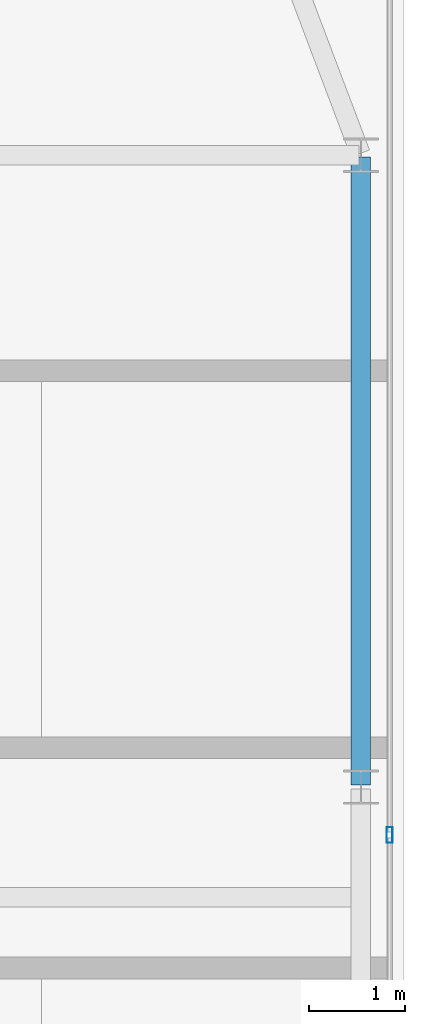
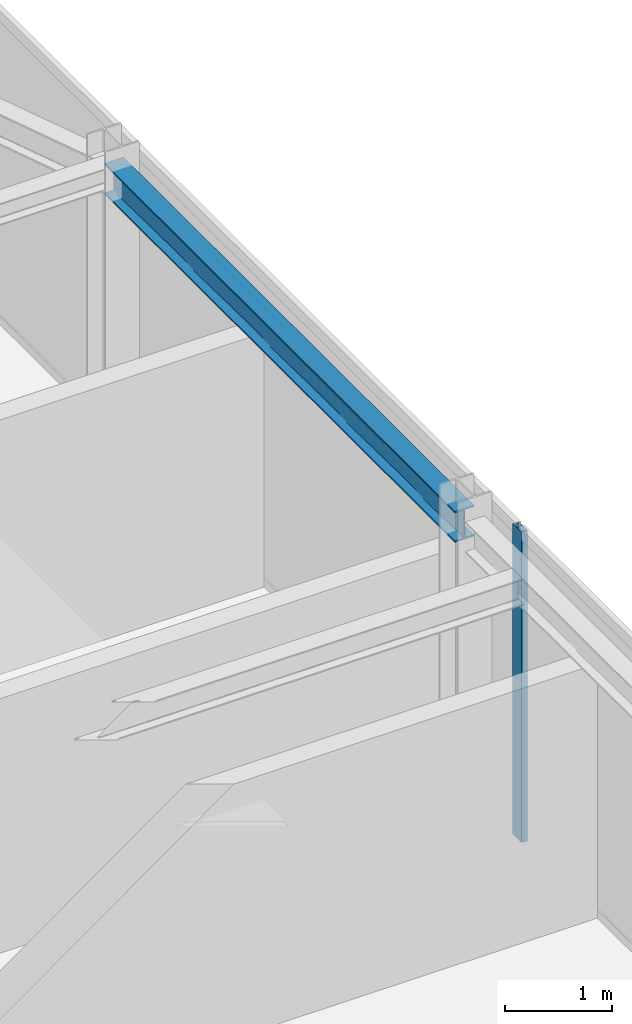
# One storey, part 15 of 26: 1 beam, 1 member, 1 element without a shape of its own.
"""IFC4 building model written with IfcOpenShell, lengths in metres."""

from ifc_helpers import new_model, si_unit, direction, frame, origin, origin_2d, place, context, subcontext, project, spatial, hollow_rectangle, i_section, extrude, source, transform, mapped, material, layer, layer_set, material_profile, profile_set, type_object, type_shapes, element, aggregate, save


model = new_model("IFC4")

# Units and contexts
model_context = context("Model", 3, precision=1e-05, world=origin(), true_north=direction((0.0, 1.0)))
body_context = subcontext(model_context, "Body", "Model", "MODEL_VIEW")
ifc_project = project(units=[si_unit("LENGTHUNIT", "METRE"), si_unit("AREAUNIT", "SQUARE_METRE"), si_unit("VOLUMEUNIT", "CUBIC_METRE"), si_unit("PLANEANGLEUNIT", "RADIAN"), si_unit("MASSUNIT", "GRAM", prefix="KILO")], contexts=[model_context])

# Site, building, storey
site_placement = place(None, origin())
site = spatial("IfcSite", under=ifc_project, at=site_placement, CompositionType="ELEMENT")
building_placement = place(site_placement, origin())
building = spatial("IfcBuilding", under=site, at=building_placement, Name="Varnel Quay Broadcast Tower", CompositionType="ELEMENT")
storey_placement = place(building_placement, frame((0.0, 0.0, 218.800048828125)))
storey = spatial("IfcBuildingStorey", under=building, at=storey_placement, Name="L54", CompositionType="ELEMENT", Elevation=218.800048828125)

# Beam
ifc_material_1 = material(Name="Structural Steel CSA G40.21 350W", Category="steel")
ifc_material_profile_1 = material_profile(ifc_material_1, i_section(OverallWidth=0.205078125, OverallDepth=0.35400390625, WebThickness=0.009521484375, FlangeThickness=0.016845703125, FilletRadius=0.012939453125, at=origin_2d()), Name="W360X79")
ifc_profile_set_1 = profile_set([ifc_material_profile_1], Name="Structural Steel CSA G40.21 350W")
beam_type = type_object("IfcBeamType", Name="Beam_W360X79", PredefinedType="SPANDREL", material=ifc_profile_set_1)
shared_shape_1 = source(origin(), body_context, "Body", "SweptSolid", [
    extrude(i_section(OverallWidth=0.205078125, OverallDepth=0.35400390625, WebThickness=0.009521484375, FlangeThickness=0.016845703125, FilletRadius=0.012939453125, at=origin_2d()), origin(), (0.0, 0.0, 1.0), 6.56005859375),
])
type_shapes(beam_type, [shared_shape_1])
beam_placement = place(storey_placement, frame((58.050048828125, 29.02001953125, 3.373046875), z_axis=(0.0, 1.0, 0.0), x_axis=(-1.0, 0.0, 0.0)))
element("IfcBeam", 1, at=beam_placement, inside=storey, type_object=beam_type, Name="L54 East Spandrel TC-E2-TC-E3", PredefinedType="SPANDREL", context=body_context, shape_type="MappedRepresentation", body=[
    mapped(shared_shape_1, transform((0.0, 0.0, 0.0), x_axis=(1.0, 0.0, 0.0), y_axis=(0.0, 1.0, 0.0), z_axis=(0.0, 0.0, 1.0), scale=1.0)),
])

# Curtain wall, member
ifc_material_2 = material(Name="Anodised Bronze Aluminium 6063-T6", Category="aluminium")
ifc_layer = layer(ifc_material_2, 0.18994140625, Name="Anodised Bronze Aluminium 6063-T6")
ifc_layer_set = layer_set([ifc_layer], Name="Anodised Bronze Aluminium 6063-T6")
curtain_wall_type = type_object("IfcCurtainWallType", Name="CW_UpperTower", PredefinedType="NOTDEFINED", material=ifc_layer_set)
curtain_wall_placement = place(storey_placement, origin())
curtain_wall = element("IfcCurtainWall", 2, at=curtain_wall_placement, inside=storey, type_object=curtain_wall_type, Name="L54 East Unitised Curtain Wall", PredefinedType="NOTDEFINED")
ifc_material_profile_2 = material_profile(ifc_material_2, hollow_rectangle(XDim=0.06494140625, YDim=0.1650390625, WallThickness=0.00341796875, at=origin_2d()), Name="ALU65X165X3.5")
ifc_profile_set_2 = profile_set([ifc_material_profile_2], Name="Anodised Bronze Aluminium 6063-T6")
member_type = type_object("IfcMemberType", Name="Mull_CWS-03", PredefinedType="MULLION", material=ifc_profile_set_2)
shared_shape_2 = source(origin(), body_context, "Body", "SweptSolid", [
    extrude(hollow_rectangle(XDim=0.06494140625, YDim=0.1650390625, WallThickness=0.00341796875, at=origin_2d()), origin(), (0.0, 0.0, 1.0), 3.550048828125),
])
type_shapes(member_type, [shared_shape_2])
member_placement = place(storey_placement, frame((58.35009765625, 28.5, 0.0), z_axis=(0.0, 0.0, 1.0), x_axis=(-1.0, 0.0, 0.0)))
member = element("IfcMember", 3, at=member_placement, type_object=member_type, Name="CWS-03 mullion 2", PredefinedType="MULLION", context=body_context, shape_type="MappedRepresentation", body=[
    mapped(shared_shape_2, transform((0.0, 0.0, 0.0), x_axis=(1.0, 0.0, 0.0), y_axis=(0.0, 1.0, 0.0), z_axis=(0.0, 0.0, 1.0), scale=1.0)),
])
aggregate(curtain_wall, [member])

save(model, "model.ifc")
